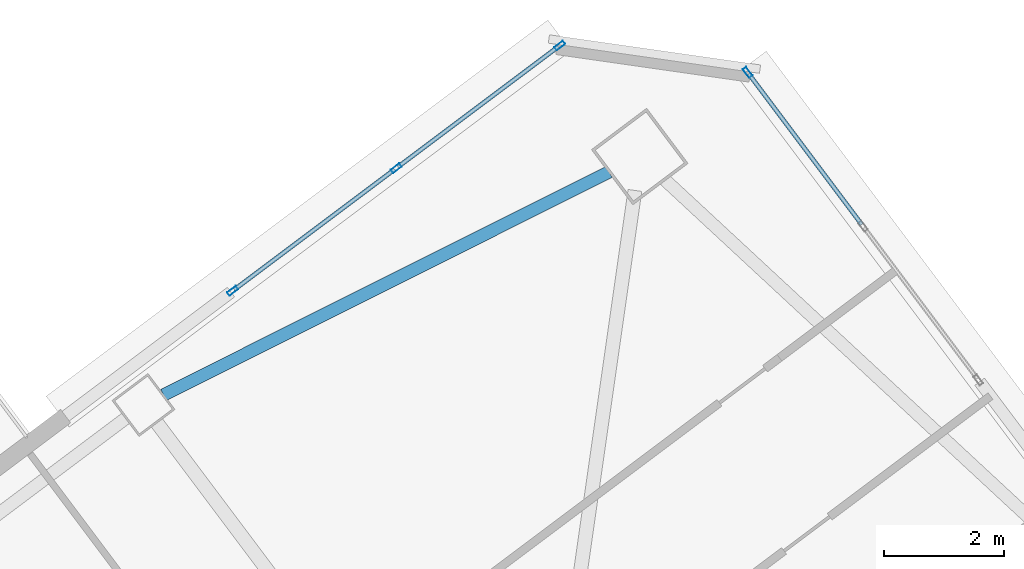
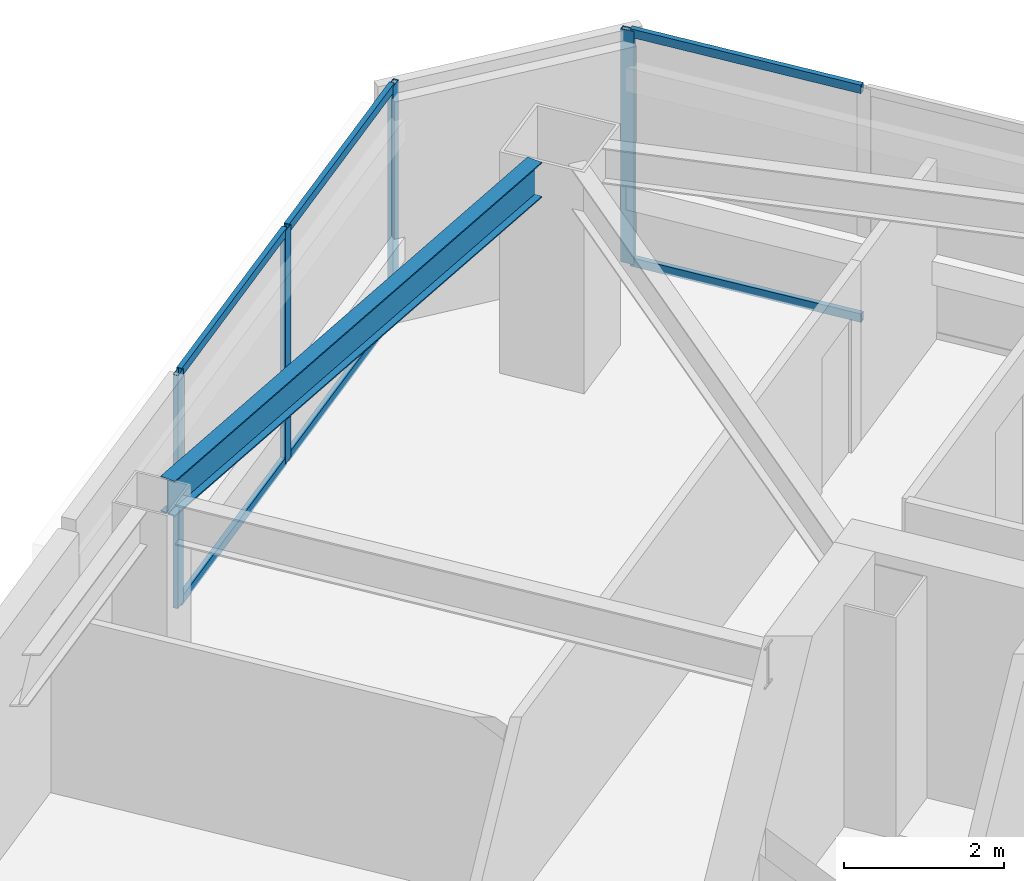
# One storey, part 30 of 44: 10 members, 1 beam, 2 elements without a shape of their own.
"""IFC4 building model written with IfcOpenShell, lengths in metres."""

from ifc_helpers import new_model, si_unit, direction, frame, origin, origin_2d, place, context, subcontext, project, spatial, hollow_rectangle, i_section, extrude, material, material_profile, profile_set, type_object, element, aggregate, save


model = new_model("IFC4")

# Units and contexts
model_context = context("Model", 3, precision=1e-05, world=origin(), true_north=direction((0.0, 1.0)))
body_context = subcontext(model_context, "Body", "Model", "MODEL_VIEW")
ifc_project = project(units=[si_unit("LENGTHUNIT", "METRE"), si_unit("AREAUNIT", "SQUARE_METRE"), si_unit("VOLUMEUNIT", "CUBIC_METRE"), si_unit("PLANEANGLEUNIT", "RADIAN"), si_unit("MASSUNIT", "GRAM", prefix="KILO")], contexts=[model_context])

# Site, building, storey
site_placement = place(None, origin())
site = spatial("IfcSite", under=ifc_project, at=site_placement, CompositionType="ELEMENT")
building_placement = place(site_placement, origin())
building = spatial("IfcBuilding", under=site, at=building_placement, Name="Tashvorn Skyway Center", CompositionType="ELEMENT")
storey_placement = place(building_placement, frame((0.0, 0.0, 181.85009765625)))
storey = spatial("IfcBuildingStorey", under=building, at=storey_placement, Name="L49", CompositionType="ELEMENT", Elevation=181.85009765625)

# Beam
ifc_material_1 = material(Name="Steel ASTM A992 Grade 50", Category="steel")
ifc_material_profile_1 = material_profile(ifc_material_1, i_section(OverallWidth=0.2109375, OverallDepth=0.5390625, WebThickness=0.01171875, FlangeThickness=0.018798828125, at=origin_2d()), Name="W21X73")
ifc_profile_set_1 = profile_set([ifc_material_profile_1], Name="Steel ASTM A992 Grade 50")
beam_type = type_object("IfcBeamType", Name="BM-SPANDREL-W21X73", PredefinedType="SPANDREL", material=ifc_profile_set_1)
beam_placement = place(storey_placement, frame((116.390380859375, 52.044921875, 3.100341796875), z_axis=(-0.894209637559, -0.447648438059, 0.0), x_axis=(0.447648438059, -0.894209637559, 0.0)))
element("IfcBeam", 1, at=beam_placement, inside=storey, type_object=beam_type, Name="Tower 2 L49 Spandrel Beam 07", PredefinedType="SPANDREL", context=body_context, shape_type="SweptSolid", body=[
    extrude(i_section(OverallWidth=0.2109375, OverallDepth=0.5390625, WebThickness=0.01171875, FlangeThickness=0.018798828125, at=origin_2d()), origin(), (0.0, 0.0, 1.0), 8.308349609375),
])

# Curtain wall, members
ifc_material_2 = material(Name="Thermally broken bronze-anodized aluminium 6063-T6", Category="aluminium")
curtain_wall_type = type_object("IfcCurtainWallType", Name="CW-CW-Z4", PredefinedType="NOTDEFINED", material=ifc_material_2)
curtain_wall_1_placement = place(storey_placement, origin())
curtain_wall_1 = element("IfcCurtainWall", 2, at=curtain_wall_1_placement, inside=storey, type_object=curtain_wall_type, Name="Tower 2 L49 North Curtain Wall R Glazing Group 1", PredefinedType="NOTDEFINED")
ifc_material_profile_2 = material_profile(ifc_material_2, hollow_rectangle(XDim=0.070068359375, YDim=0.179931640625, WallThickness=0.00390625, at=origin_2d()), Name="ALU-MULL-70x180")
ifc_profile_set_2 = profile_set([ifc_material_profile_2], Name="Thermally broken bronze-anodized aluminium 6063-T6")
member_type_1 = type_object("IfcMemberType", Name="CWM-CW-Z4", PredefinedType="MULLION", material=ifc_profile_set_2)
member_1_placement = place(storey_placement, frame((110.11474609375, 50.06103515625, 0.0), z_axis=(0.0, 0.0, 1.0), x_axis=(-0.60000232334, 0.79999825749, 0.0)))
member_1 = element("IfcMember", 3, at=member_1_placement, type_object=member_type_1, Name="CW-Z4 mullion 1", PredefinedType="MULLION", context=body_context, shape_type="SweptSolid", body=[
    extrude(hollow_rectangle(XDim=0.070068359375, YDim=0.179931640625, WallThickness=0.00390625, at=origin_2d()), origin(), (0.0, 0.0, 1.0), 3.5498046875),
])
member_2_placement = place(storey_placement, frame((112.84130859375, 52.10595703125, 0.0), z_axis=(0.0, 0.0, 1.0), x_axis=(-0.60000232334, 0.79999825749, 0.0)))
member_2 = element("IfcMember", 4, at=member_2_placement, type_object=member_type_1, Name="CW-Z4 mullion 2", PredefinedType="MULLION", context=body_context, shape_type="SweptSolid", body=[
    extrude(hollow_rectangle(XDim=0.070068359375, YDim=0.179931640625, WallThickness=0.00390625, at=origin_2d()), origin(), (0.0, 0.0, 1.0), 3.5498046875),
])
member_3_placement = place(storey_placement, frame((115.568115234375, 54.15087890625, 0.0), z_axis=(0.0, 0.0, 1.0), x_axis=(-0.60000232334, 0.79999825749, 0.0)))
member_3 = element("IfcMember", 5, at=member_3_placement, type_object=member_type_1, Name="CW-Z4 mullion 3", PredefinedType="MULLION", context=body_context, shape_type="SweptSolid", body=[
    extrude(hollow_rectangle(XDim=0.070068359375, YDim=0.179931640625, WallThickness=0.00390625, at=origin_2d()), origin(), (0.0, 0.0, 1.0), 3.5498046875),
])

# Curtain wall, member
curtain_wall_2_placement = place(storey_placement, origin())
curtain_wall_2 = element("IfcCurtainWall", 6, at=curtain_wall_2_placement, inside=storey, type_object=curtain_wall_type, Name="Tower 2 L49 East Unitised Curtain Wall Glazing Group 1", PredefinedType="NOTDEFINED")
member_4_placement = place(storey_placement, frame((118.697021484375, 53.7041015625, 0.0), z_axis=(0.0, 0.0, 1.0), x_axis=(0.799999999998, 0.600000000002, 0.0)))
member_4 = element("IfcMember", 7, at=member_4_placement, type_object=member_type_1, Name="CW-Z4 mullion 1", PredefinedType="MULLION", context=body_context, shape_type="SweptSolid", body=[
    extrude(hollow_rectangle(XDim=0.070068359375, YDim=0.179931640625, WallThickness=0.00390625, at=origin_2d()), origin(), (0.0, 0.0, 1.0), 3.5498046875),
])

# Member
ifc_material_profile_3 = material_profile(ifc_material_2, hollow_rectangle(XDim=0.070068359375, YDim=0.1298828125, WallThickness=0.00390625, at=origin_2d()), Name="ALU-TRAN-70x130")
ifc_profile_set_3 = profile_set([ifc_material_profile_3], Name="Thermally broken bronze-anodized aluminium 6063-T6")
member_type_2 = type_object("IfcMemberType", Name="CWT-CW-Z4", PredefinedType="USERDEFINED", material=ifc_profile_set_3)
member_5_placement = place(storey_placement, frame((110.142578125, 50.08203125, 0.034912109375), z_axis=(0.80000877595, 0.599988298555, 0.0), x_axis=(-0.599988298555, 0.80000877595, 0.0)))
member_5 = element("IfcMember", 8, at=member_5_placement, type_object=member_type_2, Name="CW-Z4 transom 1.1", ObjectType="TRANSOM", PredefinedType="USERDEFINED", context=body_context, shape_type="SweptSolid", body=[
    extrude(hollow_rectangle(XDim=0.070068359375, YDim=0.1298828125, WallThickness=0.00390625, at=origin_2d()), origin(), (0.0, 0.0, 1.0), 3.33837890625),
])

member_6_placement = place(storey_placement, frame((110.142578125, 50.08203125, 3.514892578125), z_axis=(0.80000877595, 0.599988298555, 0.0), x_axis=(-0.599988298555, 0.80000877595, 0.0)))
member_6 = element("IfcMember", 9, at=member_6_placement, type_object=member_type_2, Name="CW-Z4 transom 1.2", ObjectType="TRANSOM", PredefinedType="USERDEFINED", context=body_context, shape_type="SweptSolid", body=[
    extrude(hollow_rectangle(XDim=0.070068359375, YDim=0.1298828125, WallThickness=0.00390625, at=origin_2d()), origin(), (0.0, 0.0, 1.0), 3.33837890625),
])

member_7_placement = place(storey_placement, frame((112.869384765625, 52.126953125, 0.034912109375), z_axis=(0.80000877595, 0.599988298555, 0.0), x_axis=(-0.599988298555, 0.80000877595, 0.0)))
member_7 = element("IfcMember", 10, at=member_7_placement, type_object=member_type_2, Name="CW-Z4 transom 2.1", ObjectType="TRANSOM", PredefinedType="USERDEFINED", context=body_context, shape_type="SweptSolid", body=[
    extrude(hollow_rectangle(XDim=0.070068359375, YDim=0.1298828125, WallThickness=0.00390625, at=origin_2d()), origin(), (0.0, 0.0, 1.0), 3.33837890625),
])

member_8_placement = place(storey_placement, frame((112.869384765625, 52.126953125, 3.514892578125), z_axis=(0.80000877595, 0.599988298555, 0.0), x_axis=(-0.599988298555, 0.80000877595, 0.0)))
member_8 = element("IfcMember", 11, at=member_8_placement, type_object=member_type_2, Name="CW-Z4 transom 2.2", ObjectType="TRANSOM", PredefinedType="USERDEFINED", context=body_context, shape_type="SweptSolid", body=[
    extrude(hollow_rectangle(XDim=0.070068359375, YDim=0.1298828125, WallThickness=0.00390625, at=origin_2d()), origin(), (0.0, 0.0, 1.0), 3.33837890625),
])

aggregate(curtain_wall_1, [member_1, member_2, member_3, member_5, member_6, member_7, member_8])

member_9_placement = place(storey_placement, frame((118.718017578125, 53.676025390625, 0.034912109375), z_axis=(0.600012459628, -0.799990655127, 0.0), x_axis=(0.799990655127, 0.600012459628, 0.0)))
member_9 = element("IfcMember", 12, at=member_9_placement, type_object=member_type_2, Name="CW-Z4 transom 1.1", ObjectType="TRANSOM", PredefinedType="USERDEFINED", context=body_context, shape_type="SweptSolid", body=[
    extrude(hollow_rectangle(XDim=0.070068359375, YDim=0.1298828125, WallThickness=0.00390625, at=origin_2d()), origin(), (0.0, 0.0, 1.0), 3.135009765625),
])

member_10_placement = place(storey_placement, frame((118.718017578125, 53.676025390625, 3.514892578125), z_axis=(0.600012459628, -0.799990655127, 0.0), x_axis=(0.799990655127, 0.600012459628, 0.0)))
member_10 = element("IfcMember", 13, at=member_10_placement, type_object=member_type_2, Name="CW-Z4 transom 1.2", ObjectType="TRANSOM", PredefinedType="USERDEFINED", context=body_context, shape_type="SweptSolid", body=[
    extrude(hollow_rectangle(XDim=0.070068359375, YDim=0.1298828125, WallThickness=0.00390625, at=origin_2d()), origin(), (0.0, 0.0, 1.0), 3.135009765625),
])

aggregate(curtain_wall_2, [member_4, member_9, member_10])

save(model, "model.ifc")
